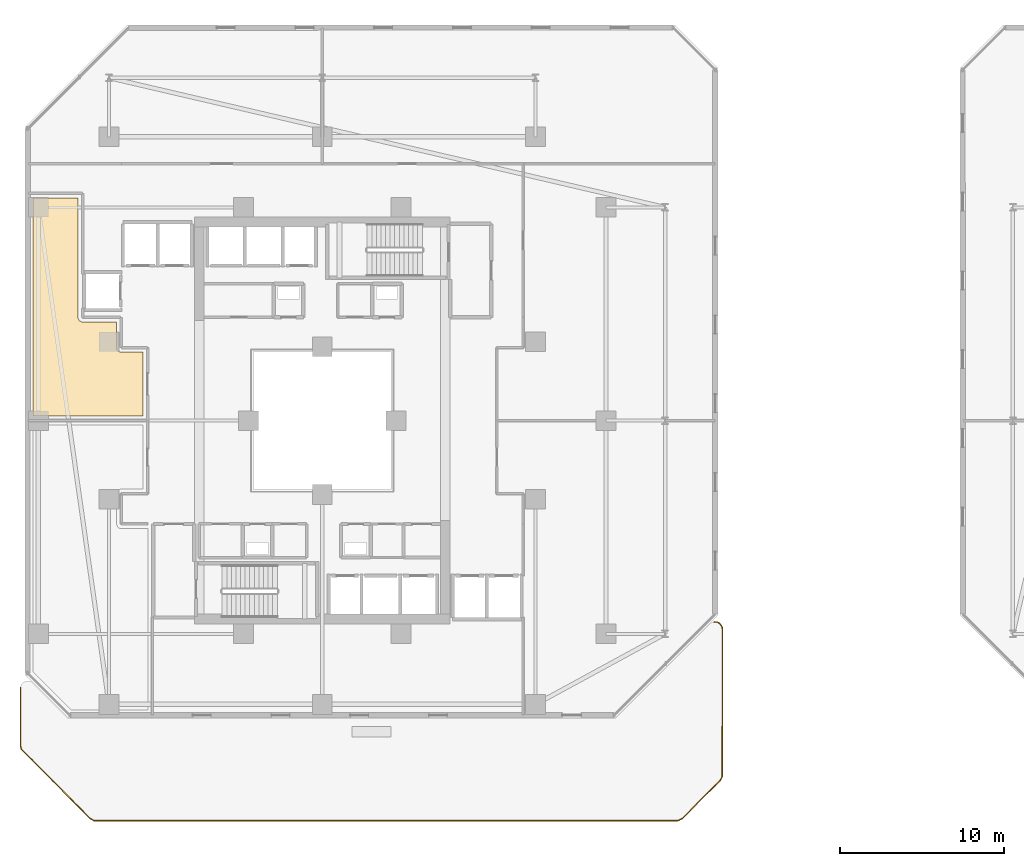
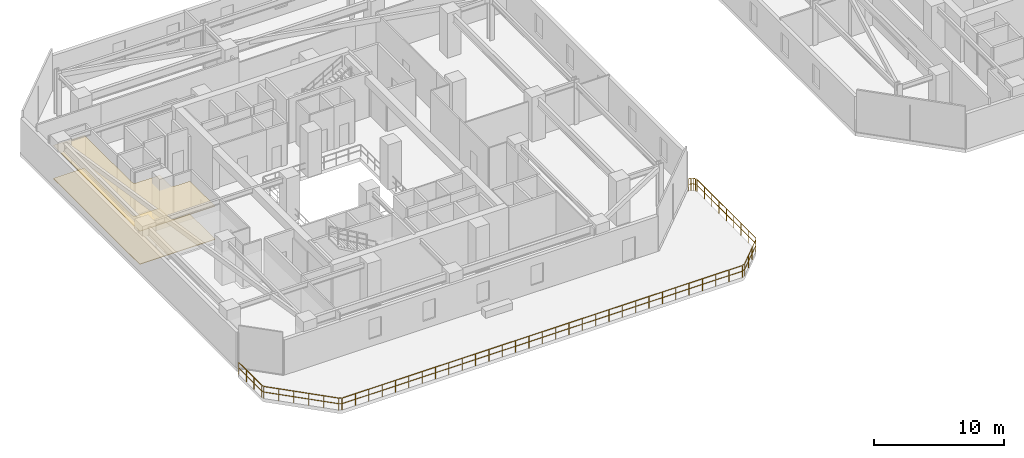
# One storey, part 25 of 30: 2 coverings, 1 railing.
"""IFC4 building model written with IfcOpenShell, lengths in metres."""

from ifc_helpers import new_model, si_unit, direction, frame, origin, origin_2d, place, context, subcontext, project, spatial, polyline, rectangle, outline, extrude, material, layer, layer_set, type_object, element, save


model = new_model("IFC4")

# Units and contexts
model_context = context("Model", 3, precision=1e-05, world=origin(), true_north=direction((0.0, 1.0)))
body_context = subcontext(model_context, "Body", "Model", "MODEL_VIEW")
ifc_project = project(units=[si_unit("LENGTHUNIT", "METRE"), si_unit("AREAUNIT", "SQUARE_METRE"), si_unit("VOLUMEUNIT", "CUBIC_METRE"), si_unit("PLANEANGLEUNIT", "RADIAN"), si_unit("MASSUNIT", "GRAM", prefix="KILO")], contexts=[model_context])

# Site, building, storey
site_placement = place(None, origin())
site = spatial("IfcSite", under=ifc_project, at=site_placement, CompositionType="ELEMENT")
building_placement = place(site_placement, origin())
building = spatial("IfcBuilding", under=site, at=building_placement, Name="Thornwick Lancets Civic Towers", CompositionType="ELEMENT")
storey_placement = place(building_placement, frame((0.0, 0.0, 75.89990234375)))
storey = spatial("IfcBuildingStorey", under=building, at=storey_placement, Name="L19", CompositionType="ELEMENT", Elevation=75.89990234375)

# Coverings
ifc_material_1 = material(Name="Perforated mineral acoustic ceiling tile")
ifc_layer_1 = layer(ifc_material_1, 0.0400390625, Name="Perforated mineral acoustic ceiling tile")
ifc_layer_set_1 = layer_set([ifc_layer_1], Name="Perforated mineral acoustic ceiling tile")
covering_type_1 = type_object("IfcCoveringType", Name="COV_CEIL_ACOUSTIC", PredefinedType="CEILING", material=ifc_layer_set_1)
covering_1_placement = place(storey_placement, frame((0.0, 0.0, 3.10498046875)))
element("IfcCovering", 1, at=covering_1_placement, inside=storey, type_object=covering_type_1, Name="L19 Tower A Policy Briefing Room W2 Ceiling", PredefinedType="CEILING", context=body_context, shape_type="SweptSolid", body=[
    extrude(outline(polyline([(10.6201171875, 33.300048828125), (10.621337890625, 33.272705078125), (10.62548828125, 33.245361328125), (10.632080078125, 33.21875), (10.641357421875, 33.19287109375), (10.653076171875, 33.16796875), (10.667236328125, 33.144287109375), (10.68359375, 33.122314453125), (10.701904296875, 33.10205078125), (10.722412109375, 33.08349609375), (10.744384765625, 33.067138671875), (10.76806640625, 33.052978515625), (10.792724609375, 33.041259765625), (10.818603515625, 33.031982421875), (10.845458984375, 33.025390625), (10.87255859375, 33.021240234375), (10.89990234375, 33.02001953125), (12.969970703125, 33.02001953125), (12.969970703125, 31.449951171875), (12.97119140625, 31.422607421875), (12.975341796875, 31.3955078125), (12.982177734375, 31.36865234375), (12.9912109375, 31.3427734375), (13.003173828125, 31.318115234375), (13.01708984375, 31.29443359375), (13.03369140625, 31.2724609375), (13.052001953125, 31.251953125), (13.072509765625, 31.233642578125), (13.094482421875, 31.21728515625), (13.117919921875, 31.203125), (13.142822265625, 31.19140625), (13.168701171875, 31.18212890625), (13.1953125, 31.17529296875), (13.22265625, 31.17138671875), (13.25, 31.169921875), (14.570068359375, 31.169921875), (14.570068359375, 27.280029296875), (7.860107421875, 27.280029296875), (7.860107421875, 40.570068359375), (10.6201171875, 40.570068359375), (10.6201171875, 33.300048828125)])), origin(), (0.0, 0.0, 1.0), 0.0400390625),
])
ifc_material_2 = material(Name="Calcium-sulfate raised access floor panel")
ifc_layer_2 = layer(ifc_material_2, 0.050048828125, Name="Calcium-sulfate raised access floor panel")
ifc_layer_set_2 = layer_set([ifc_layer_2], Name="Calcium-sulfate raised access floor panel")
covering_type_2 = type_object("IfcCoveringType", Name="COV_FLOOR_RAISED", PredefinedType="FLOORING", material=ifc_layer_set_2)
covering_2_placement = place(storey_placement, origin())
element("IfcCovering", 2, at=covering_2_placement, inside=storey, type_object=covering_type_2, Name="L19 Tower A Policy Briefing Room W2 Raised Access Flooring", PredefinedType="FLOORING", context=body_context, shape_type="SweptSolid", body=[
    extrude(outline(polyline([(10.6201171875, 33.300048828125), (10.621337890625, 33.272705078125), (10.62548828125, 33.245361328125), (10.632080078125, 33.21875), (10.641357421875, 33.19287109375), (10.653076171875, 33.16796875), (10.667236328125, 33.144287109375), (10.68359375, 33.122314453125), (10.701904296875, 33.10205078125), (10.722412109375, 33.08349609375), (10.744384765625, 33.067138671875), (10.76806640625, 33.052978515625), (10.792724609375, 33.041259765625), (10.818603515625, 33.031982421875), (10.845458984375, 33.025390625), (10.87255859375, 33.021240234375), (10.89990234375, 33.02001953125), (12.969970703125, 33.02001953125), (12.969970703125, 31.449951171875), (12.97119140625, 31.422607421875), (12.975341796875, 31.3955078125), (12.982177734375, 31.36865234375), (12.9912109375, 31.3427734375), (13.003173828125, 31.318115234375), (13.01708984375, 31.29443359375), (13.03369140625, 31.2724609375), (13.052001953125, 31.251953125), (13.072509765625, 31.233642578125), (13.094482421875, 31.21728515625), (13.117919921875, 31.203125), (13.142822265625, 31.19140625), (13.168701171875, 31.18212890625), (13.1953125, 31.17529296875), (13.22265625, 31.17138671875), (13.25, 31.169921875), (14.570068359375, 31.169921875), (14.570068359375, 27.280029296875), (7.860107421875, 27.280029296875), (7.860107421875, 40.570068359375), (10.6201171875, 40.570068359375), (10.6201171875, 33.300048828125)])), origin(), (0.0, 0.0, 1.0), 0.050048828125),
])

# Railing
ifc_material_3 = material(Name="Terracotta-capped laminated glass balustrade S355", Category="masonry")
railing_type = type_object("IfcRailingType", Name="RAIL_TERR_GUARD", PredefinedType="GUARDRAIL", material=ifc_material_3)
railing_placement = place(storey_placement, frame((49.40234375, 14.732666015625, 0.0)))
element("IfcRailing", 3, at=railing_placement, inside=storey, type_object=railing_type, Name="L19 Tower A Sky-Garden Guard 1", PredefinedType="GUARDRAIL", context=body_context, shape_type="SweptSolid", body=[
    extrude(rectangle(XDim=0.048095703125, YDim=0.048095703125, at=origin_2d()), frame((0.0, 0.0, 1.1259765625), z_axis=(0.99556264392, -0.094101126617, 0.0), x_axis=(0.094101126617, 0.99556264392, 0.0)), (0.0, 0.0, 1.0), 0.147705078125),
    extrude(rectangle(XDim=0.0419921875, YDim=0.0419921875, at=origin_2d()), frame((0.037353515625, -0.00341796875, 0.597900390625), z_axis=(0.99556264392, -0.094101126617, 0.0), x_axis=(0.094101126617, 0.99556264392, 0.0)), (0.0, 0.0, 1.0), 0.10400390625),
    extrude(rectangle(XDim=0.048095703125, YDim=0.048095703125, at=origin_2d()), frame((0.205810546875, -0.031494140625, 1.1259765625), z_axis=(0.882737459384, -0.469866553184, 0.0), x_axis=(0.469866553184, 0.882737459384, 0.0)), (0.0, 0.0, 1.0), 0.113037109375),
    extrude(rectangle(XDim=0.0419921875, YDim=0.0419921875, at=origin_2d()), frame((0.21142578125, -0.034423828125, 0.597900390625), z_axis=(0.882737459384, -0.469866553184, 0.0), x_axis=(0.469866553184, 0.882737459384, 0.0)), (0.0, 0.0, 1.0), 0.1005859375),
    extrude(rectangle(XDim=0.048095703125, YDim=0.048095703125, at=origin_2d()), frame((0.35302734375, -0.12353515625, 1.1259765625), z_axis=(0.63346470779, -0.773771583857, 0.0), x_axis=(0.773771583857, 0.63346470779, 0.0)), (0.0, 0.0, 1.0), 0.11328125),
    extrude(rectangle(XDim=0.0419921875, YDim=0.0419921875, at=origin_2d()), frame((0.35693359375, -0.12841796875, 0.597900390625), z_axis=(0.63346470779, -0.773771583857, 0.0), x_axis=(0.773771583857, 0.63346470779, 0.0)), (0.0, 0.0, 1.0), 0.100830078125),
    extrude(rectangle(XDim=0.048095703125, YDim=0.048095703125, at=origin_2d()), frame((0.45361328125, -0.265380859375, 1.1259765625), z_axis=(0.289389501276, -0.957211427299, 0.0), x_axis=(0.957211427299, 0.289389501276, 0.0)), (0.0, 0.0, 1.0), 0.113037109375),
    extrude(rectangle(XDim=0.0419921875, YDim=0.0419921875, at=origin_2d()), frame((0.455322265625, -0.271240234375, 0.597900390625), z_axis=(0.289389501276, -0.957211427299, 0.0), x_axis=(0.957211427299, 0.289389501276, 0.0)), (0.0, 0.0, 1.0), 0.1005859375),
    extrude(rectangle(XDim=0.048095703125, YDim=0.048095703125, at=origin_2d()), frame((0.495361328125, -0.4345703125, 1.1259765625), z_axis=(-0.0007028925, -0.999999752971, 0.0), x_axis=(0.999999752971, -0.0007028925, 0.0)), (0.0, 0.0, 1.0), 8.96826171875),
    extrude(rectangle(XDim=0.0419921875, YDim=0.0419921875, at=origin_2d()), frame((0.495361328125, -0.44091796875, 0.597900390625), z_axis=(-0.0007028925, -0.999999752971, 0.0), x_axis=(0.999999752971, -0.0007028925, 0.0)), (0.0, 0.0, 1.0), 1.053955078125),
    extrude(rectangle(XDim=0.0419921875, YDim=0.0419921875, at=origin_2d()), frame((0.49462890625, -1.569580078125, 0.597900390625), z_axis=(-0.0007028925, -0.999999752971, 0.0), x_axis=(0.999999752971, -0.0007028925, 0.0)), (0.0, 0.0, 1.0), 1.053955078125),
    extrude(rectangle(XDim=0.0419921875, YDim=0.0419921875, at=origin_2d()), frame((0.49365234375, -2.698486328125, 0.597900390625), z_axis=(-0.0007028925, -0.999999752971, 0.0), x_axis=(0.999999752971, -0.0007028925, 0.0)), (0.0, 0.0, 1.0), 1.053955078125),
    extrude(rectangle(XDim=0.0419921875, YDim=0.0419921875, at=origin_2d()), frame((0.492919921875, -3.827392578125, 0.597900390625), z_axis=(-0.0007028925, -0.999999752971, 0.0), x_axis=(0.999999752971, -0.0007028925, 0.0)), (0.0, 0.0, 1.0), 1.053955078125),
    extrude(rectangle(XDim=0.0419921875, YDim=0.0419921875, at=origin_2d()), frame((0.4921875, -4.956298828125, 0.597900390625), z_axis=(-0.0007028925, -0.999999752971, 0.0), x_axis=(0.999999752971, -0.0007028925, 0.0)), (0.0, 0.0, 1.0), 1.053955078125),
    extrude(rectangle(XDim=0.0419921875, YDim=0.0419921875, at=origin_2d()), frame((0.491455078125, -6.0849609375, 0.597900390625), z_axis=(-0.0007028925, -0.999999752971, 0.0), x_axis=(0.999999752971, -0.0007028925, 0.0)), (0.0, 0.0, 1.0), 1.053955078125),
    extrude(rectangle(XDim=0.0419921875, YDim=0.0419921875, at=origin_2d()), frame((0.490478515625, -7.2138671875, 0.597900390625), z_axis=(-0.0007028925, -0.999999752971, 0.0), x_axis=(0.999999752971, -0.0007028925, 0.0)), (0.0, 0.0, 1.0), 1.053955078125),
    extrude(rectangle(XDim=0.0419921875, YDim=0.0419921875, at=origin_2d()), frame((0.48974609375, -8.3427734375, 0.597900390625), z_axis=(-0.0007028925, -0.999999752971, 0.0), x_axis=(0.999999752971, -0.0007028925, 0.0)), (0.0, 0.0, 1.0), 1.053955078125),
    extrude(rectangle(XDim=0.048095703125, YDim=0.048095703125, at=origin_2d()), frame((0.474365234375, -9.461669921875, 1.1259765625), z_axis=(-0.470976207759, -0.882145912945, 0.0), x_axis=(0.882145912945, -0.470976207759, 0.0)), (0.0, 0.0, 1.0), 0.19873046875),
    extrude(rectangle(XDim=0.0419921875, YDim=0.0419921875, at=origin_2d()), frame((0.471435546875, -9.467041015625, 0.597900390625), z_axis=(-0.470976207759, -0.882145912945, 0.0), x_axis=(0.882145912945, -0.470976207759, 0.0)), (0.0, 0.0, 1.0), 0.186279296875),
    extrude(rectangle(XDim=0.048095703125, YDim=0.048095703125, at=origin_2d()), frame((0.34375, -9.686767578125, 1.1259765625), z_axis=(-0.707106781187, -0.707106781187, 0.0), x_axis=(0.707106781187, -0.707106781187, 0.0)), (0.0, 0.0, 1.0), 3.24169921875),
    extrude(rectangle(XDim=0.0419921875, YDim=0.0419921875, at=origin_2d()), frame((0.33935546875, -9.691162109375, 0.597900390625), z_axis=(-0.707106781187, -0.707106781187, 0.0), x_axis=(0.707106781187, -0.707106781187, 0.0)), (0.0, 0.0, 1.0), 1.0263671875),
    extrude(rectangle(XDim=0.0419921875, YDim=0.0419921875, at=origin_2d()), frame((-0.439453125, -10.469970703125, 0.597900390625), z_axis=(-0.707106781187, -0.707106781187, 0.0), x_axis=(0.707106781187, -0.707106781187, 0.0)), (0.0, 0.0, 1.0), 1.0263671875),
    extrude(rectangle(XDim=0.0419921875, YDim=0.0419921875, at=origin_2d()), frame((-1.21826171875, -11.248779296875, 0.597900390625), z_axis=(-0.707106781187, -0.707106781187, 0.0), x_axis=(0.707106781187, -0.707106781187, 0.0)), (0.0, 0.0, 1.0), 1.0263671875),
    extrude(rectangle(XDim=0.048095703125, YDim=0.048095703125, at=origin_2d()), frame((-1.998779296875, -12.014404296875, 1.1259765625), z_axis=(-0.904343633652, -0.426805098696, 0.0), x_axis=(0.426805098696, -0.904343633652, 0.0)), (0.0, 0.0, 1.0), 0.24072265625),
    extrude(rectangle(XDim=0.0419921875, YDim=0.0419921875, at=origin_2d()), frame((-2.00439453125, -12.01708984375, 0.597900390625), z_axis=(-0.904343633652, -0.426805098696, 0.0), x_axis=(0.426805098696, -0.904343633652, 0.0)), (0.0, 0.0, 1.0), 0.228271484375),
    extrude(rectangle(XDim=0.048095703125, YDim=0.048095703125, at=origin_2d()), frame((-2.27587890625, -12.13037109375, 1.1259765625), z_axis=(-0.999999984067, 0.000178510124, 0.0), x_axis=(-0.000178510124, -0.999999984067, 0.0)), (0.0, 0.0, 1.0), 35.49658203125),
    extrude(rectangle(XDim=0.0419921875, YDim=0.0419921875, at=origin_2d()), frame((-2.2822265625, -12.13037109375, 0.597900390625), z_axis=(-0.999999984067, 0.000178510124, 0.0), x_axis=(-0.000178510124, -0.999999984067, 0.0)), (0.0, 0.0, 1.0), 1.1103515625),
    extrude(rectangle(XDim=0.0419921875, YDim=0.0419921875, at=origin_2d()), frame((-3.467529296875, -12.130126953125, 0.597900390625), z_axis=(-0.999999984067, 0.000178510124, 0.0), x_axis=(-0.000178510124, -0.999999984067, 0.0)), (0.0, 0.0, 1.0), 1.1103515625),
    extrude(rectangle(XDim=0.0419921875, YDim=0.0419921875, at=origin_2d()), frame((-4.65283203125, -12.1298828125, 0.597900390625), z_axis=(-0.999999984067, 0.000178510124, 0.0), x_axis=(-0.000178510124, -0.999999984067, 0.0)), (0.0, 0.0, 1.0), 1.1103515625),
    extrude(rectangle(XDim=0.0419921875, YDim=0.0419921875, at=origin_2d()), frame((-5.838134765625, -12.129638671875, 0.597900390625), z_axis=(-0.999999984067, 0.000178510124, 0.0), x_axis=(-0.000178510124, -0.999999984067, 0.0)), (0.0, 0.0, 1.0), 1.1103515625),
    extrude(rectangle(XDim=0.0419921875, YDim=0.0419921875, at=origin_2d()), frame((-7.0234375, -12.129638671875, 0.597900390625), z_axis=(-0.999999984067, 0.000178510124, 0.0), x_axis=(-0.000178510124, -0.999999984067, 0.0)), (0.0, 0.0, 1.0), 1.1103515625),
    extrude(rectangle(XDim=0.0419921875, YDim=0.0419921875, at=origin_2d()), frame((-8.208740234375, -12.12939453125, 0.597900390625), z_axis=(-0.999999984067, 0.000178510124, 0.0), x_axis=(-0.000178510124, -0.999999984067, 0.0)), (0.0, 0.0, 1.0), 1.1103515625),
    extrude(rectangle(XDim=0.0419921875, YDim=0.0419921875, at=origin_2d()), frame((-9.39404296875, -12.129150390625, 0.597900390625), z_axis=(-0.999999984067, 0.000178510124, 0.0), x_axis=(-0.000178510124, -0.999999984067, 0.0)), (0.0, 0.0, 1.0), 1.1103515625),
    extrude(rectangle(XDim=0.0419921875, YDim=0.0419921875, at=origin_2d()), frame((-10.579345703125, -12.12890625, 0.597900390625), z_axis=(-0.999999984067, 0.000178510124, 0.0), x_axis=(-0.000178510124, -0.999999984067, 0.0)), (0.0, 0.0, 1.0), 1.1103515625),
    extrude(rectangle(XDim=0.0419921875, YDim=0.0419921875, at=origin_2d()), frame((-11.7646484375, -12.128662109375, 0.597900390625), z_axis=(-0.999999984067, 0.000178510124, 0.0), x_axis=(-0.000178510124, -0.999999984067, 0.0)), (0.0, 0.0, 1.0), 1.1103515625),
    extrude(rectangle(XDim=0.0419921875, YDim=0.0419921875, at=origin_2d()), frame((-12.949951171875, -12.12841796875, 0.597900390625), z_axis=(-0.999999984067, 0.000178510124, 0.0), x_axis=(-0.000178510124, -0.999999984067, 0.0)), (0.0, 0.0, 1.0), 1.1103515625),
    extrude(rectangle(XDim=0.0419921875, YDim=0.0419921875, at=origin_2d()), frame((-14.13525390625, -12.128173828125, 0.597900390625), z_axis=(-0.999999984067, 0.000178510124, 0.0), x_axis=(-0.000178510124, -0.999999984067, 0.0)), (0.0, 0.0, 1.0), 1.1103515625),
    extrude(rectangle(XDim=0.0419921875, YDim=0.0419921875, at=origin_2d()), frame((-15.320556640625, -12.1279296875, 0.597900390625), z_axis=(-0.999999984067, 0.000178510124, 0.0), x_axis=(-0.000178510124, -0.999999984067, 0.0)), (0.0, 0.0, 1.0), 1.1103515625),
    extrude(rectangle(XDim=0.0419921875, YDim=0.0419921875, at=origin_2d()), frame((-16.505859375, -12.1279296875, 0.597900390625), z_axis=(-0.999999984067, 0.000178510124, 0.0), x_axis=(-0.000178510124, -0.999999984067, 0.0)), (0.0, 0.0, 1.0), 1.1103515625),
    extrude(rectangle(XDim=0.0419921875, YDim=0.0419921875, at=origin_2d()), frame((-17.691162109375, -12.127685546875, 0.597900390625), z_axis=(-0.999999984067, 0.000178510124, 0.0), x_axis=(-0.000178510124, -0.999999984067, 0.0)), (0.0, 0.0, 1.0), 1.1103515625),
    extrude(rectangle(XDim=0.0419921875, YDim=0.0419921875, at=origin_2d()), frame((-18.87646484375, -12.12744140625, 0.597900390625), z_axis=(-0.999999984067, 0.000178510124, 0.0), x_axis=(-0.000178510124, -0.999999984067, 0.0)), (0.0, 0.0, 1.0), 1.1103515625),
    extrude(rectangle(XDim=0.0419921875, YDim=0.0419921875, at=origin_2d()), frame((-20.061767578125, -12.127197265625, 0.597900390625), z_axis=(-0.999999984067, 0.000178510124, 0.0), x_axis=(-0.000178510124, -0.999999984067, 0.0)), (0.0, 0.0, 1.0), 1.1103515625),
    extrude(rectangle(XDim=0.0419921875, YDim=0.0419921875, at=origin_2d()), frame((-21.2470703125, -12.126953125, 0.597900390625), z_axis=(-0.999999984067, 0.000178510124, 0.0), x_axis=(-0.000178510124, -0.999999984067, 0.0)), (0.0, 0.0, 1.0), 1.1103515625),
    extrude(rectangle(XDim=0.0419921875, YDim=0.0419921875, at=origin_2d()), frame((-22.432373046875, -12.126708984375, 0.597900390625), z_axis=(-0.999999984067, 0.000178510124, 0.0), x_axis=(-0.000178510124, -0.999999984067, 0.0)), (0.0, 0.0, 1.0), 1.1103515625),
    extrude(rectangle(XDim=0.0419921875, YDim=0.0419921875, at=origin_2d()), frame((-23.61767578125, -12.12646484375, 0.597900390625), z_axis=(-0.999999984067, 0.000178510124, 0.0), x_axis=(-0.000178510124, -0.999999984067, 0.0)), (0.0, 0.0, 1.0), 1.1103515625),
    extrude(rectangle(XDim=0.0419921875, YDim=0.0419921875, at=origin_2d()), frame((-24.802978515625, -12.12646484375, 0.597900390625), z_axis=(-0.999999984067, 0.000178510124, 0.0), x_axis=(-0.000178510124, -0.999999984067, 0.0)), (0.0, 0.0, 1.0), 1.1103515625),
    extrude(rectangle(XDim=0.0419921875, YDim=0.0419921875, at=origin_2d()), frame((-25.98828125, -12.126220703125, 0.597900390625), z_axis=(-0.999999984067, 0.000178510124, 0.0), x_axis=(-0.000178510124, -0.999999984067, 0.0)), (0.0, 0.0, 1.0), 1.1103515625),
    extrude(rectangle(XDim=0.0419921875, YDim=0.0419921875, at=origin_2d()), frame((-27.173583984375, -12.1259765625, 0.597900390625), z_axis=(-0.999999984067, 0.000178510124, 0.0), x_axis=(-0.000178510124, -0.999999984067, 0.0)), (0.0, 0.0, 1.0), 1.1103515625),
    extrude(rectangle(XDim=0.0419921875, YDim=0.0419921875, at=origin_2d()), frame((-28.35888671875, -12.125732421875, 0.597900390625), z_axis=(-0.999999984067, 0.000178510124, 0.0), x_axis=(-0.000178510124, -0.999999984067, 0.0)), (0.0, 0.0, 1.0), 1.1103515625),
    extrude(rectangle(XDim=0.0419921875, YDim=0.0419921875, at=origin_2d()), frame((-29.544189453125, -12.12548828125, 0.597900390625), z_axis=(-0.999999984067, 0.000178510124, 0.0), x_axis=(-0.000178510124, -0.999999984067, 0.0)), (0.0, 0.0, 1.0), 1.1103515625),
    extrude(rectangle(XDim=0.0419921875, YDim=0.0419921875, at=origin_2d()), frame((-30.7294921875, -12.125244140625, 0.597900390625), z_axis=(-0.999999984067, 0.000178510124, 0.0), x_axis=(-0.000178510124, -0.999999984067, 0.0)), (0.0, 0.0, 1.0), 1.1103515625),
    extrude(rectangle(XDim=0.0419921875, YDim=0.0419921875, at=origin_2d()), frame((-31.914794921875, -12.125, 0.597900390625), z_axis=(-0.999999984067, 0.000178510124, 0.0), x_axis=(-0.000178510124, -0.999999984067, 0.0)), (0.0, 0.0, 1.0), 1.1103515625),
    extrude(rectangle(XDim=0.0419921875, YDim=0.0419921875, at=origin_2d()), frame((-33.10009765625, -12.124755859375, 0.597900390625), z_axis=(-0.999999984067, 0.000178510124, 0.0), x_axis=(-0.000178510124, -0.999999984067, 0.0)), (0.0, 0.0, 1.0), 1.1103515625),
    extrude(rectangle(XDim=0.0419921875, YDim=0.0419921875, at=origin_2d()), frame((-34.285400390625, -12.124755859375, 0.597900390625), z_axis=(-0.999999984067, 0.000178510124, 0.0), x_axis=(-0.000178510124, -0.999999984067, 0.0)), (0.0, 0.0, 1.0), 1.1103515625),
    extrude(rectangle(XDim=0.0419921875, YDim=0.0419921875, at=origin_2d()), frame((-35.470703125, -12.12451171875, 0.597900390625), z_axis=(-0.999999984067, 0.000178510124, 0.0), x_axis=(-0.000178510124, -0.999999984067, 0.0)), (0.0, 0.0, 1.0), 1.1103515625),
    extrude(rectangle(XDim=0.0419921875, YDim=0.0419921875, at=origin_2d()), frame((-36.656005859375, -12.124267578125, 0.597900390625), z_axis=(-0.999999984067, 0.000178510124, 0.0), x_axis=(-0.000178510124, -0.999999984067, 0.0)), (0.0, 0.0, 1.0), 1.1103515625),
    extrude(rectangle(XDim=0.048095703125, YDim=0.048095703125, at=origin_2d()), frame((-37.831298828125, -12.109375, 1.1259765625), z_axis=(-0.882145912945, 0.470976207759, 0.0), x_axis=(-0.470976207759, -0.882145912945, 0.0)), (0.0, 0.0, 1.0), 0.19873046875),
    extrude(rectangle(XDim=0.0419921875, YDim=0.0419921875, at=origin_2d()), frame((-37.836669921875, -12.1064453125, 0.597900390625), z_axis=(-0.882145912945, 0.470976207759, 0.0), x_axis=(-0.470976207759, -0.882145912945, 0.0)), (0.0, 0.0, 1.0), 0.186279296875),
    extrude(rectangle(XDim=0.048095703125, YDim=0.048095703125, at=origin_2d()), frame((-38.05615234375, -11.978759765625, 1.1259765625), z_axis=(-0.704796561062, 0.709409478027, 0.0), x_axis=(-0.709409478027, -0.704796561062, 0.0)), (0.0, 0.0, 1.0), 5.91796875),
    extrude(rectangle(XDim=0.0419921875, YDim=0.0419921875, at=origin_2d()), frame((-38.060546875, -11.974365234375, 0.597900390625), z_axis=(-0.704796561062, 0.709409478027, 0.0), x_axis=(-0.709409478027, -0.704796561062, 0.0)), (0.0, 0.0, 1.0), 1.12109375),
    extrude(rectangle(XDim=0.0419921875, YDim=0.0419921875, at=origin_2d()), frame((-38.903564453125, -11.125732421875, 0.597900390625), z_axis=(-0.704796561062, 0.709409478027, 0.0), x_axis=(-0.709409478027, -0.704796561062, 0.0)), (0.0, 0.0, 1.0), 1.12109375),
    extrude(rectangle(XDim=0.0419921875, YDim=0.0419921875, at=origin_2d()), frame((-39.74658203125, -10.27734375, 0.597900390625), z_axis=(-0.704796561062, 0.709409478027, 0.0), x_axis=(-0.709409478027, -0.704796561062, 0.0)), (0.0, 0.0, 1.0), 1.12109375),
    extrude(rectangle(XDim=0.0419921875, YDim=0.0419921875, at=origin_2d()), frame((-40.589599609375, -9.4287109375, 0.597900390625), z_axis=(-0.704796561062, 0.709409478027, 0.0), x_axis=(-0.709409478027, -0.704796561062, 0.0)), (0.0, 0.0, 1.0), 1.12109375),
    extrude(rectangle(XDim=0.0419921875, YDim=0.0419921875, at=origin_2d()), frame((-41.4326171875, -8.580322265625, 0.597900390625), z_axis=(-0.704796561062, 0.709409478027, 0.0), x_axis=(-0.709409478027, -0.704796561062, 0.0)), (0.0, 0.0, 1.0), 1.12109375),
    extrude(rectangle(XDim=0.048095703125, YDim=0.048095703125, at=origin_2d()), frame((-42.2568359375, -7.72802734375, 1.1259765625), z_axis=(-0.242535625036, 0.970142500145, 0.0), x_axis=(-0.970142500145, -0.242535625036, 0.0)), (0.0, 0.0, 1.0), 0.156005859375),
    extrude(rectangle(XDim=0.0419921875, YDim=0.0419921875, at=origin_2d()), frame((-42.25830078125, -7.721923828125, 0.597900390625), z_axis=(-0.242535625036, 0.970142500145, 0.0), x_axis=(-0.970142500145, -0.242535625036, 0.0)), (0.0, 0.0, 1.0), 0.1435546875),
    extrude(rectangle(XDim=0.048095703125, YDim=0.048095703125, at=origin_2d()), frame((-42.30224609375, -7.51513671875, 1.1259765625), z_axis=(0.000620133554, 0.999999807717, 0.0), x_axis=(-0.999999807717, 0.000620133554, 0.0)), (0.0, 0.0, 1.0), 3.511962890625),
    extrude(rectangle(XDim=0.0419921875, YDim=0.0419921875, at=origin_2d()), frame((-42.30224609375, -7.5087890625, 0.597900390625), z_axis=(0.000620133554, 0.999999807717, 0.0), x_axis=(-0.999999807717, 0.000620133554, 0.0)), (0.0, 0.0, 1.0), 1.106201171875),
    extrude(rectangle(XDim=0.0419921875, YDim=0.0419921875, at=origin_2d()), frame((-42.301513671875, -6.327880859375, 0.597900390625), z_axis=(0.000620133554, 0.999999807717, 0.0), x_axis=(-0.999999807717, 0.000620133554, 0.0)), (0.0, 0.0, 1.0), 1.106201171875),
    extrude(rectangle(XDim=0.0419921875, YDim=0.0419921875, at=origin_2d()), frame((-42.30078125, -5.146728515625, 0.597900390625), z_axis=(0.000620133554, 0.999999807717, 0.0), x_axis=(-0.999999807717, 0.000620133554, 0.0)), (0.0, 0.0, 1.0), 1.106201171875),
    extrude(rectangle(XDim=0.0419921875, YDim=0.0419921875, at=origin_2d()), origin(), (0.0, 0.0, 1.0), 1.095703125),
    extrude(rectangle(XDim=0.0419921875, YDim=0.0419921875, at=origin_2d()), frame((0.17822265625, -0.016845703125, 0.0)), (0.0, 0.0, 1.0), 1.095703125),
    extrude(rectangle(XDim=0.0419921875, YDim=0.0419921875, at=origin_2d()), frame((0.333251953125, -0.099365234375, 0.0)), (0.0, 0.0, 1.0), 1.095703125),
    extrude(rectangle(XDim=0.0419921875, YDim=0.0419921875, at=origin_2d()), frame((0.444580078125, -0.2353515625, 0.0)), (0.0, 0.0, 1.0), 1.095703125),
    extrude(rectangle(XDim=0.0419921875, YDim=0.0419921875, at=origin_2d()), frame((0.495361328125, -0.4033203125, 0.0)), (0.0, 0.0, 1.0), 1.095703125),
    extrude(rectangle(XDim=0.0419921875, YDim=0.0419921875, at=origin_2d()), frame((0.49462890625, -1.5322265625, 0.0)), (0.0, 0.0, 1.0), 1.095703125),
    extrude(rectangle(XDim=0.0419921875, YDim=0.0419921875, at=origin_2d()), frame((0.49365234375, -2.6611328125, 0.0)), (0.0, 0.0, 1.0), 1.095703125),
    extrude(rectangle(XDim=0.0419921875, YDim=0.0419921875, at=origin_2d()), frame((0.492919921875, -3.789794921875, 0.0)), (0.0, 0.0, 1.0), 1.095703125),
    extrude(rectangle(XDim=0.0419921875, YDim=0.0419921875, at=origin_2d()), frame((0.4921875, -4.918701171875, 0.0)), (0.0, 0.0, 1.0), 1.095703125),
    extrude(rectangle(XDim=0.0419921875, YDim=0.0419921875, at=origin_2d()), frame((0.491455078125, -6.047607421875, 0.0)), (0.0, 0.0, 1.0), 1.095703125),
    extrude(rectangle(XDim=0.0419921875, YDim=0.0419921875, at=origin_2d()), frame((0.49072265625, -7.17626953125, 0.0)), (0.0, 0.0, 1.0), 1.095703125),
    extrude(rectangle(XDim=0.0419921875, YDim=0.0419921875, at=origin_2d()), frame((0.48974609375, -8.30517578125, 0.0)), (0.0, 0.0, 1.0), 1.095703125),
    extrude(rectangle(XDim=0.0419921875, YDim=0.0419921875, at=origin_2d()), frame((0.489013671875, -9.43408203125, 0.0)), (0.0, 0.0, 1.0), 1.095703125),
    extrude(rectangle(XDim=0.0419921875, YDim=0.0419921875, at=origin_2d()), frame((0.365966796875, -9.66455078125, 0.0)), (0.0, 0.0, 1.0), 1.095703125),
    extrude(rectangle(XDim=0.0419921875, YDim=0.0419921875, at=origin_2d()), frame((-0.412841796875, -10.443359375, 0.0)), (0.0, 0.0, 1.0), 1.095703125),
    extrude(rectangle(XDim=0.0419921875, YDim=0.0419921875, at=origin_2d()), frame((-1.191650390625, -11.22216796875, 0.0)), (0.0, 0.0, 1.0), 1.095703125),
    extrude(rectangle(XDim=0.0419921875, YDim=0.0419921875, at=origin_2d()), frame((-1.970458984375, -12.0009765625, 0.0)), (0.0, 0.0, 1.0), 1.095703125),
    extrude(rectangle(XDim=0.0419921875, YDim=0.0419921875, at=origin_2d()), frame((-2.24462890625, -12.13037109375, 0.0)), (0.0, 0.0, 1.0), 1.095703125),
    extrude(rectangle(XDim=0.0419921875, YDim=0.0419921875, at=origin_2d()), frame((-3.429931640625, -12.130126953125, 0.0)), (0.0, 0.0, 1.0), 1.095703125),
    extrude(rectangle(XDim=0.0419921875, YDim=0.0419921875, at=origin_2d()), frame((-4.615234375, -12.1298828125, 0.0)), (0.0, 0.0, 1.0), 1.095703125),
    extrude(rectangle(XDim=0.0419921875, YDim=0.0419921875, at=origin_2d()), frame((-5.800537109375, -12.129638671875, 0.0)), (0.0, 0.0, 1.0), 1.095703125),
    extrude(rectangle(XDim=0.0419921875, YDim=0.0419921875, at=origin_2d()), frame((-6.98583984375, -12.129638671875, 0.0)), (0.0, 0.0, 1.0), 1.095703125),
    extrude(rectangle(XDim=0.0419921875, YDim=0.0419921875, at=origin_2d()), frame((-8.171142578125, -12.12939453125, 0.0)), (0.0, 0.0, 1.0), 1.095703125),
    extrude(rectangle(XDim=0.0419921875, YDim=0.0419921875, at=origin_2d()), frame((-9.3564453125, -12.129150390625, 0.0)), (0.0, 0.0, 1.0), 1.095703125),
    extrude(rectangle(XDim=0.0419921875, YDim=0.0419921875, at=origin_2d()), frame((-10.541748046875, -12.12890625, 0.0)), (0.0, 0.0, 1.0), 1.095703125),
    extrude(rectangle(XDim=0.0419921875, YDim=0.0419921875, at=origin_2d()), frame((-11.72705078125, -12.128662109375, 0.0)), (0.0, 0.0, 1.0), 1.095703125),
    extrude(rectangle(XDim=0.0419921875, YDim=0.0419921875, at=origin_2d()), frame((-12.912353515625, -12.12841796875, 0.0)), (0.0, 0.0, 1.0), 1.095703125),
    extrude(rectangle(XDim=0.0419921875, YDim=0.0419921875, at=origin_2d()), frame((-14.09765625, -12.128173828125, 0.0)), (0.0, 0.0, 1.0), 1.095703125),
    extrude(rectangle(XDim=0.0419921875, YDim=0.0419921875, at=origin_2d()), frame((-15.282958984375, -12.1279296875, 0.0)), (0.0, 0.0, 1.0), 1.095703125),
    extrude(rectangle(XDim=0.0419921875, YDim=0.0419921875, at=origin_2d()), frame((-16.46826171875, -12.1279296875, 0.0)), (0.0, 0.0, 1.0), 1.095703125),
    extrude(rectangle(XDim=0.0419921875, YDim=0.0419921875, at=origin_2d()), frame((-17.653564453125, -12.127685546875, 0.0)), (0.0, 0.0, 1.0), 1.095703125),
    extrude(rectangle(XDim=0.0419921875, YDim=0.0419921875, at=origin_2d()), frame((-18.8388671875, -12.12744140625, 0.0)), (0.0, 0.0, 1.0), 1.095703125),
    extrude(rectangle(XDim=0.0419921875, YDim=0.0419921875, at=origin_2d()), frame((-20.024169921875, -12.127197265625, 0.0)), (0.0, 0.0, 1.0), 1.095703125),
    extrude(rectangle(XDim=0.0419921875, YDim=0.0419921875, at=origin_2d()), frame((-21.20947265625, -12.126953125, 0.0)), (0.0, 0.0, 1.0), 1.095703125),
    extrude(rectangle(XDim=0.0419921875, YDim=0.0419921875, at=origin_2d()), frame((-22.394775390625, -12.126708984375, 0.0)), (0.0, 0.0, 1.0), 1.095703125),
    extrude(rectangle(XDim=0.0419921875, YDim=0.0419921875, at=origin_2d()), frame((-23.580078125, -12.12646484375, 0.0)), (0.0, 0.0, 1.0), 1.095703125),
    extrude(rectangle(XDim=0.0419921875, YDim=0.0419921875, at=origin_2d()), frame((-24.765380859375, -12.12646484375, 0.0)), (0.0, 0.0, 1.0), 1.095703125),
    extrude(rectangle(XDim=0.0419921875, YDim=0.0419921875, at=origin_2d()), frame((-25.95068359375, -12.126220703125, 0.0)), (0.0, 0.0, 1.0), 1.095703125),
    extrude(rectangle(XDim=0.0419921875, YDim=0.0419921875, at=origin_2d()), frame((-27.135986328125, -12.1259765625, 0.0)), (0.0, 0.0, 1.0), 1.095703125),
    extrude(rectangle(XDim=0.0419921875, YDim=0.0419921875, at=origin_2d()), frame((-28.3212890625, -12.125732421875, 0.0)), (0.0, 0.0, 1.0), 1.095703125),
    extrude(rectangle(XDim=0.0419921875, YDim=0.0419921875, at=origin_2d()), frame((-29.506591796875, -12.12548828125, 0.0)), (0.0, 0.0, 1.0), 1.095703125),
    extrude(rectangle(XDim=0.0419921875, YDim=0.0419921875, at=origin_2d()), frame((-30.69189453125, -12.125244140625, 0.0)), (0.0, 0.0, 1.0), 1.095703125),
    extrude(rectangle(XDim=0.0419921875, YDim=0.0419921875, at=origin_2d()), frame((-31.877197265625, -12.125, 0.0)), (0.0, 0.0, 1.0), 1.095703125),
    extrude(rectangle(XDim=0.0419921875, YDim=0.0419921875, at=origin_2d()), frame((-33.0625, -12.124755859375, 0.0)), (0.0, 0.0, 1.0), 1.095703125),
    extrude(rectangle(XDim=0.0419921875, YDim=0.0419921875, at=origin_2d()), frame((-34.247802734375, -12.124755859375, 0.0)), (0.0, 0.0, 1.0), 1.095703125),
    extrude(rectangle(XDim=0.0419921875, YDim=0.0419921875, at=origin_2d()), frame((-35.43310546875, -12.12451171875, 0.0)), (0.0, 0.0, 1.0), 1.095703125),
    extrude(rectangle(XDim=0.0419921875, YDim=0.0419921875, at=origin_2d()), frame((-36.618408203125, -12.124267578125, 0.0)), (0.0, 0.0, 1.0), 1.095703125),
    extrude(rectangle(XDim=0.0419921875, YDim=0.0419921875, at=origin_2d()), frame((-37.8037109375, -12.1240234375, 0.0)), (0.0, 0.0, 1.0), 1.095703125),
    extrude(rectangle(XDim=0.0419921875, YDim=0.0419921875, at=origin_2d()), frame((-38.0341796875, -12.0009765625, 0.0)), (0.0, 0.0, 1.0), 1.095703125),
    extrude(rectangle(XDim=0.0419921875, YDim=0.0419921875, at=origin_2d()), frame((-38.877197265625, -11.15234375, 0.0)), (0.0, 0.0, 1.0), 1.095703125),
    extrude(rectangle(XDim=0.0419921875, YDim=0.0419921875, at=origin_2d()), frame((-39.72021484375, -10.303955078125, 0.0)), (0.0, 0.0, 1.0), 1.095703125),
    extrude(rectangle(XDim=0.0419921875, YDim=0.0419921875, at=origin_2d()), frame((-40.563232421875, -9.455322265625, 0.0)), (0.0, 0.0, 1.0), 1.095703125),
    extrude(rectangle(XDim=0.0419921875, YDim=0.0419921875, at=origin_2d()), frame((-41.40625, -8.60693359375, 0.0)), (0.0, 0.0, 1.0), 1.095703125),
    extrude(rectangle(XDim=0.0419921875, YDim=0.0419921875, at=origin_2d()), frame((-42.249267578125, -7.75830078125, 0.0)), (0.0, 0.0, 1.0), 1.095703125),
    extrude(rectangle(XDim=0.0419921875, YDim=0.0419921875, at=origin_2d()), frame((-42.30224609375, -7.54638671875, 0.0)), (0.0, 0.0, 1.0), 1.095703125),
    extrude(rectangle(XDim=0.0419921875, YDim=0.0419921875, at=origin_2d()), frame((-42.301513671875, -6.365234375, 0.0)), (0.0, 0.0, 1.0), 1.095703125),
    extrude(rectangle(XDim=0.0419921875, YDim=0.0419921875, at=origin_2d()), frame((-42.30078125, -5.184326171875, 0.0)), (0.0, 0.0, 1.0), 1.095703125),
    extrude(rectangle(XDim=0.0419921875, YDim=0.0419921875, at=origin_2d()), frame((-42.300048828125, -4.003173828125, 0.0)), (0.0, 0.0, 1.0), 1.095703125),
])

save(model, "model.ifc")
